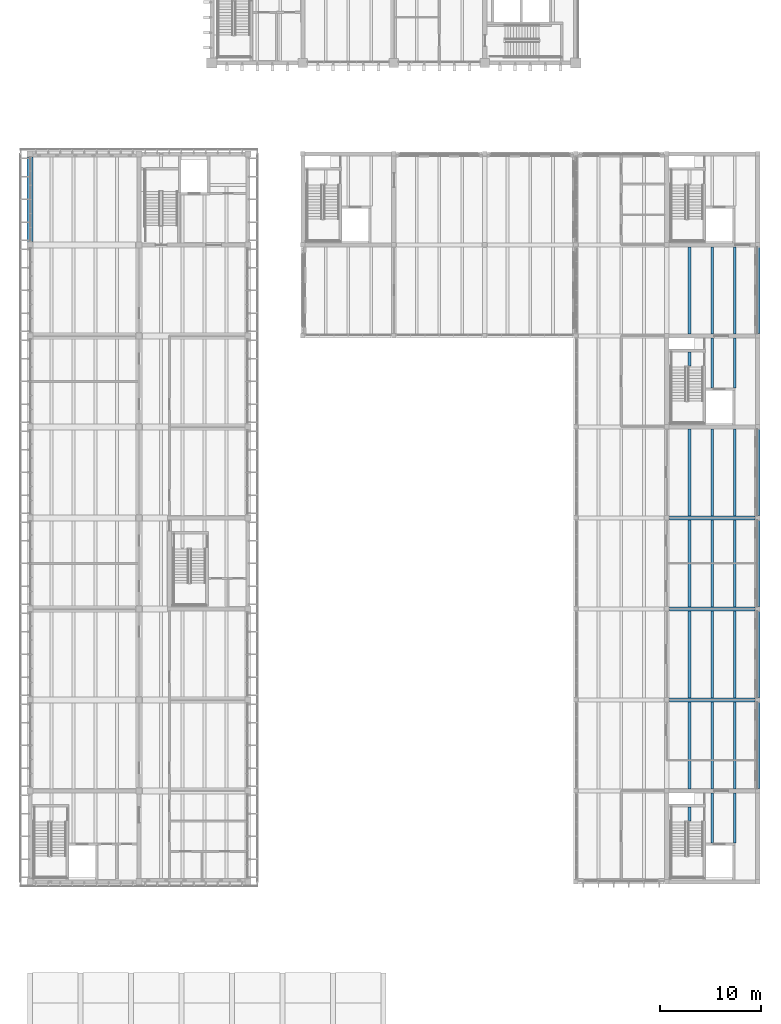
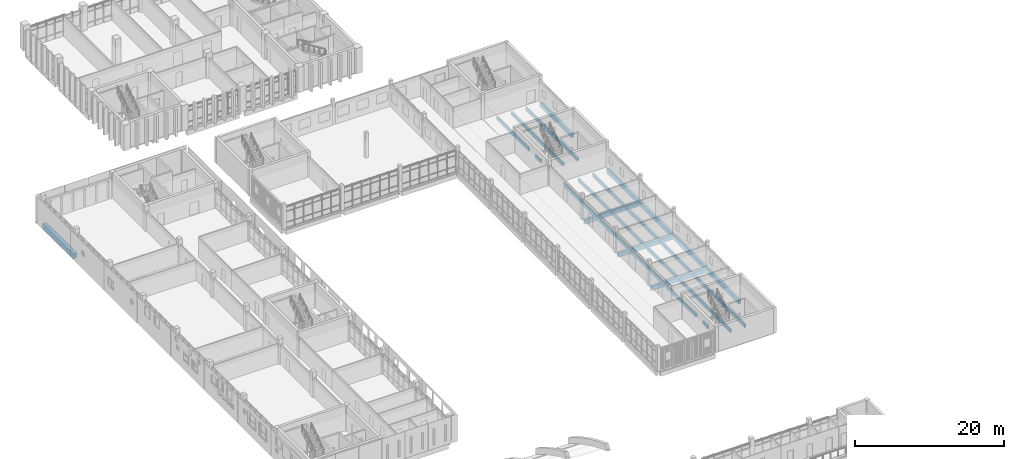
# One storey, part 28 of 88: 30 beams.
"""IFC4 building model written with IfcOpenShell, lengths in metres."""

from ifc_helpers import new_model, si_unit, direction, frame, origin, origin_2d, place, context, subcontext, project, spatial, rectangle, extrude, material, material_profile, profile_set, type_object, element, save


model = new_model("IFC4")

# Units and contexts
model_context = context("Model", 3, precision=1e-05, world=origin(), true_north=direction((0.0, 1.0)))
body_context = subcontext(model_context, "Body", "Model", "MODEL_VIEW")
ifc_project = project(units=[si_unit("LENGTHUNIT", "METRE"), si_unit("AREAUNIT", "SQUARE_METRE"), si_unit("VOLUMEUNIT", "CUBIC_METRE"), si_unit("PLANEANGLEUNIT", "RADIAN"), si_unit("MASSUNIT", "GRAM", prefix="KILO")], contexts=[model_context])

# Site, building, storey
site_placement = place(None, origin())
site = spatial("IfcSite", under=ifc_project, at=site_placement, CompositionType="ELEMENT")
building_placement = place(site_placement, origin())
building = spatial("IfcBuilding", under=site, at=building_placement, Name="Merrow Basin Faculty of Sciences", CompositionType="ELEMENT")
storey_placement = place(building_placement, frame((0.0, 0.0, 9.0)))
storey = spatial("IfcBuildingStorey", under=building, at=storey_placement, Name="L02", CompositionType="ELEMENT", Elevation=9.0)

# Beams
ifc_material_1 = material(Name="Concrete C40/50", Category="concrete")
ifc_material_profile_1 = material_profile(ifc_material_1, rectangle(XDim=0.39990234375, YDim=0.699951171875, at=origin_2d()))
ifc_profile_set_1 = profile_set([ifc_material_profile_1], Name="Concrete C40/50")
beam_type_1 = type_object("IfcBeamType", Name="Beam RC400x700 C40/50", PredefinedType="BEAM", material=ifc_profile_set_1)
for number, where, z_axis, x_axis, name in (
    (1, (63.25, 79.0, -0.60009765625), (1.0, 0.0, 0.0), (0.0, 1.0, 0.0), "B3 L02 004"),
    (2, (63.25, 88.0, -0.60009765625), (1.0, 0.0, 0.0), (0.0, 1.0, 0.0), "B3 L02 006"),
    (3, (63.25, 97.0, -0.60009765625), (1.0, 0.0, 0.0), (0.0, 1.0, 0.0), "B3 L02 008"),
    (4, (72.0, 70.25, -0.60009765625), (0.0, 1.0, 0.0), (-1.0, 0.0, 0.0), "B3 L02 037"),
    (5, (72.0, 79.25, -0.60009765625), (0.0, 1.0, 0.0), (-1.0, 0.0, 0.0), "B3 L02 038"),
    (6, (72.0, 88.25, -0.60009765625), (0.0, 1.0, 0.0), (-1.0, 0.0, 0.0), "B3 L02 039"),
    (7, (72.0, 97.25, -0.60009765625), (0.0, 1.0, 0.0), (-1.0, 0.0, 0.0), "B3 L02 040"),
    (8, (72.0, 115.25, -0.60009765625), (0.0, 1.0, 0.0), (-1.0, 0.0, 0.0), "B3 L02 041"),
):
    element("IfcBeam", number, at=place(storey_placement, frame(where, z_axis=z_axis, x_axis=x_axis)), inside=storey, type_object=beam_type_1, Name=name, PredefinedType="BEAM", context=body_context, shape_type="SweptSolid", body=[
        extrude(rectangle(XDim=0.39990234375, YDim=0.699951171875, at=origin_2d()), origin(), (0.0, 0.0, 1.0), 8.5),
    ])
ifc_material_2 = material(Name="Concrete C40/50", Category="concrete")
ifc_material_profile_2 = material_profile(ifc_material_2, rectangle(XDim=0.60009765625, YDim=0.800048828125, at=origin_2d()))
ifc_profile_set_2 = profile_set([ifc_material_profile_2], Name="Concrete C40/50")
beam_type_2 = type_object("IfcBeamType", Name="Beam RC600x800 C40/50", PredefinedType="BEAM", material=ifc_profile_set_2)
beam_1_placement = place(storey_placement, frame((0.0, 124.324951171875, -0.699951171875), z_axis=(0.0, 1.0, 0.0), x_axis=(-1.0, 0.0, 0.0)))
element("IfcBeam", 9, at=beam_1_placement, inside=storey, type_object=beam_type_2, Name="B2 L02 021", PredefinedType="BEAM", context=body_context, shape_type="SweptSolid", body=[
    extrude(rectangle(XDim=0.60009765625, YDim=0.800048828125, at=origin_2d()), origin(), (0.0, 0.0, 1.0), 8.35009765625),
])
ifc_material_3 = material(Name="Concrete C40/50", Category="concrete")
ifc_material_profile_3 = material_profile(ifc_material_3, rectangle(XDim=0.25, YDim=0.550048828125, at=origin_2d()))
ifc_profile_set_3 = profile_set([ifc_material_profile_3], Name="Concrete C40/50")
beam_type_3 = type_object("IfcBeamType", Name="Commons floor joist RC250x550 C40/50", PredefinedType="BEAM", material=ifc_profile_set_3)
beam_2_placement = place(storey_placement, frame((65.25, 67.0, -0.52490234375), z_axis=(0.0, 1.0, 0.0), x_axis=(-1.0, 0.0, 0.0)))
element("IfcBeam", 10, at=beam_2_placement, inside=storey, type_object=beam_type_3, Name="JC1 L02 084", PredefinedType="BEAM", context=body_context, shape_type="SweptSolid", body=[
    extrude(rectangle(XDim=0.25, YDim=0.550048828125, at=origin_2d()), origin(), (0.0, 0.0, 1.0), 1.39990234375),
])
for number, where, z_axis, x_axis, name in (
    (11, (67.5, 64.85009765625, -0.52490234375), (0.0, 1.0, 0.0), (-1.0, 0.0, 0.0), "JC1 L02 085"),
    (12, (69.75, 64.85009765625, -0.52490234375), (0.0, 1.0, 0.0), (-1.0, 0.0, 0.0), "JC1 L02 086"),
):
    element("IfcBeam", number, at=place(storey_placement, frame(where, z_axis=z_axis, x_axis=x_axis)), inside=storey, type_object=beam_type_3, Name=name, PredefinedType="BEAM", context=body_context, shape_type="SweptSolid", body=[
        extrude(rectangle(XDim=0.25, YDim=0.550048828125, at=origin_2d()), origin(), (0.0, 0.0, 1.0), 4.949951171875),
    ])
for number, where, z_axis, x_axis, name in (
    (13, (65.25, 70.199951171875, -0.52490234375), (0.0, 1.0, 0.0), (-1.0, 0.0, 0.0), "JC1 L02 087"),
    (14, (67.5, 70.199951171875, -0.52490234375), (0.0, 1.0, 0.0), (-1.0, 0.0, 0.0), "JC1 L02 088"),
    (15, (69.75, 70.199951171875, -0.52490234375), (0.0, 1.0, 0.0), (-1.0, 0.0, 0.0), "JC1 L02 089"),
    (16, (65.25, 79.199951171875, -0.52490234375), (0.0, 1.0, 0.0), (-1.0, 0.0, 0.0), "JC1 L02 090"),
    (17, (67.5, 79.199951171875, -0.52490234375), (0.0, 1.0, 0.0), (-1.0, 0.0, 0.0), "JC1 L02 091"),
    (18, (69.75, 79.199951171875, -0.52490234375), (0.0, 1.0, 0.0), (-1.0, 0.0, 0.0), "JC1 L02 092"),
    (19, (65.25, 88.199951171875, -0.52490234375), (0.0, 1.0, 0.0), (-1.0, 0.0, 0.0), "JC1 L02 093"),
    (20, (67.5, 88.199951171875, -0.52490234375), (0.0, 1.0, 0.0), (-1.0, 0.0, 0.0), "JC1 L02 094"),
    (21, (69.75, 88.199951171875, -0.52490234375), (0.0, 1.0, 0.0), (-1.0, 0.0, 0.0), "JC1 L02 095"),
    (22, (65.25, 97.199951171875, -0.52490234375), (0.0, 1.0, 0.0), (-1.0, 0.0, 0.0), "JC1 L02 096"),
    (23, (67.5, 97.199951171875, -0.52490234375), (0.0, 1.0, 0.0), (-1.0, 0.0, 0.0), "JC1 L02 097"),
    (24, (69.75, 97.199951171875, -0.52490234375), (0.0, 1.0, 0.0), (-1.0, 0.0, 0.0), "JC1 L02 098"),
):
    element("IfcBeam", number, at=place(storey_placement, frame(where, z_axis=z_axis, x_axis=x_axis)), inside=storey, type_object=beam_type_3, Name=name, PredefinedType="BEAM", context=body_context, shape_type="SweptSolid", body=[
        extrude(rectangle(XDim=0.25, YDim=0.550048828125, at=origin_2d()), origin(), (0.0, 0.0, 1.0), 8.60009765625),
    ])
beam_3_placement = place(storey_placement, frame((65.25, 112.0, -0.52490234375), z_axis=(0.0, 1.0, 0.0), x_axis=(-1.0, 0.0, 0.0)))
element("IfcBeam", 25, at=beam_3_placement, inside=storey, type_object=beam_type_3, Name="JC1 L02 099", PredefinedType="BEAM", context=body_context, shape_type="SweptSolid", body=[
    extrude(rectangle(XDim=0.25, YDim=0.550048828125, at=origin_2d()), origin(), (0.0, 0.0, 1.0), 1.39990234375),
])
for number, where, z_axis, x_axis, name in (
    (26, (67.5, 109.85009765625, -0.52490234375), (0.0, 1.0, 0.0), (-1.0, 0.0, 0.0), "JC1 L02 100"),
    (27, (69.75, 109.85009765625, -0.52490234375), (0.0, 1.0, 0.0), (-1.0, 0.0, 0.0), "JC1 L02 101"),
):
    element("IfcBeam", number, at=place(storey_placement, frame(where, z_axis=z_axis, x_axis=x_axis)), inside=storey, type_object=beam_type_3, Name=name, PredefinedType="BEAM", context=body_context, shape_type="SweptSolid", body=[
        extrude(rectangle(XDim=0.25, YDim=0.550048828125, at=origin_2d()), origin(), (0.0, 0.0, 1.0), 4.949951171875),
    ])
for number, where, z_axis, x_axis, name in (
    (28, (65.25, 115.199951171875, -0.52490234375), (0.0, 1.0, 0.0), (-1.0, 0.0, 0.0), "JC1 L02 102"),
    (29, (67.5, 115.199951171875, -0.52490234375), (0.0, 1.0, 0.0), (-1.0, 0.0, 0.0), "JC1 L02 103"),
    (30, (69.75, 115.199951171875, -0.52490234375), (0.0, 1.0, 0.0), (-1.0, 0.0, 0.0), "JC1 L02 104"),
):
    element("IfcBeam", number, at=place(storey_placement, frame(where, z_axis=z_axis, x_axis=x_axis)), inside=storey, type_object=beam_type_3, Name=name, PredefinedType="BEAM", context=body_context, shape_type="SweptSolid", body=[
        extrude(rectangle(XDim=0.25, YDim=0.550048828125, at=origin_2d()), origin(), (0.0, 0.0, 1.0), 8.60009765625),
    ])

save(model, "model.ifc")
